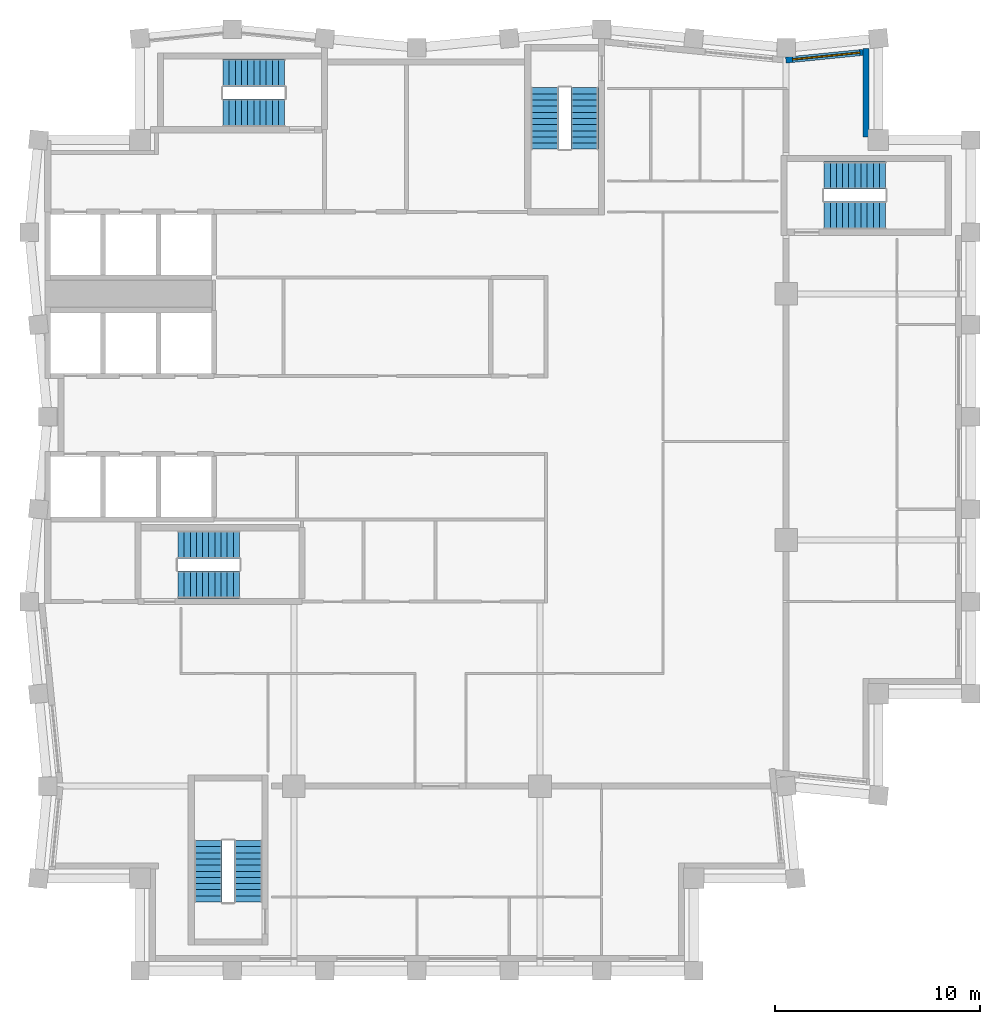
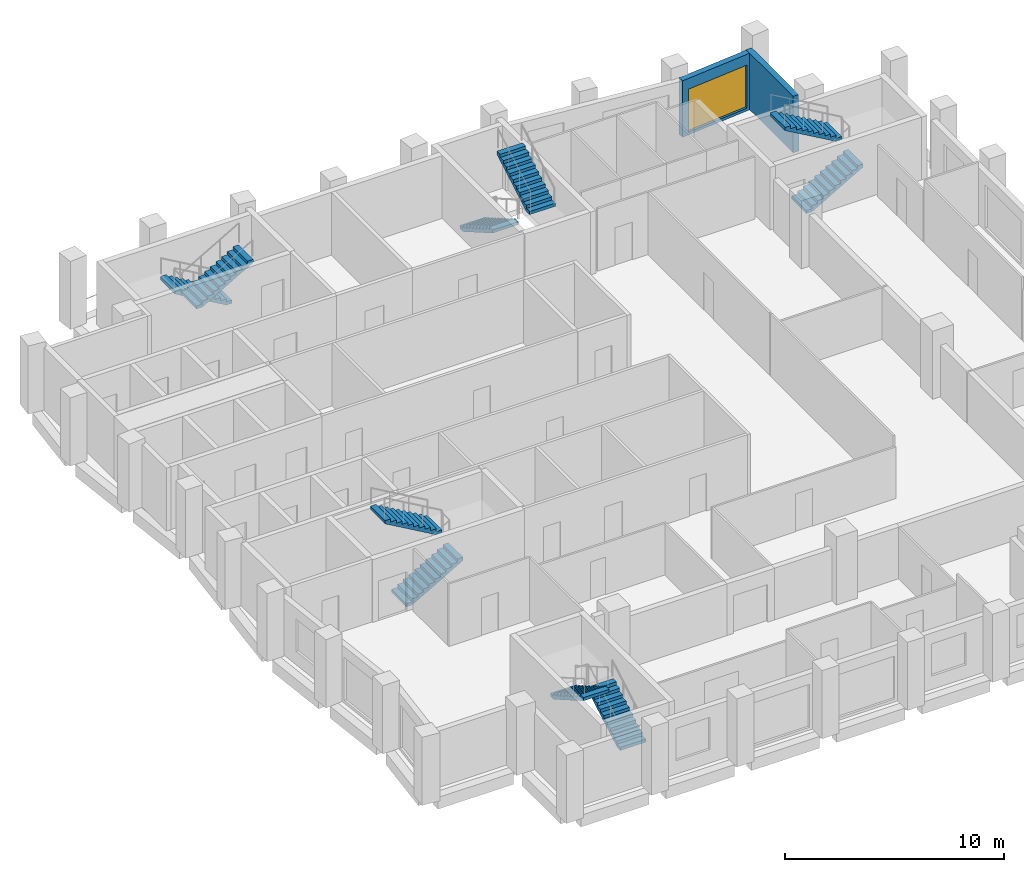
# One storey, part 6 of 7: 10 stair flights, 2 walls, 1 window, 1 opening, 5 elements without a shape of their own.
"""IFC4 building model written with IfcOpenShell, lengths in metres."""

from ifc_helpers import new_model, si_unit, direction, frame, frame_2d, origin, place, context, subcontext, project, spatial, polyline, rectangle, outline, extrude, material, layer, layer_set, type_object, element, fill, aggregate, save


model = new_model("IFC4")

# Units and contexts
model_context = context("Model", 3, precision=1e-05, world=origin(), true_north=direction((0.0, 1.0)))
body_context = subcontext(model_context, "Body", "Model", "MODEL_VIEW")
ifc_project = project(units=[si_unit("LENGTHUNIT", "METRE"), si_unit("AREAUNIT", "SQUARE_METRE"), si_unit("VOLUMEUNIT", "CUBIC_METRE"), si_unit("PLANEANGLEUNIT", "RADIAN"), si_unit("MASSUNIT", "GRAM", prefix="KILO")], contexts=[model_context])

# Site, building, storey
site_placement = place(None, origin())
site = spatial("IfcSite", under=ifc_project, at=site_placement, CompositionType="ELEMENT")
building_placement = place(site_placement, origin())
building = spatial("IfcBuilding", under=site, at=building_placement, Name="Brondeck Convention Tower", CompositionType="ELEMENT")
storey_placement = place(building_placement, frame((0.0, 0.0, 267.60009765625)))
storey = spatial("IfcBuildingStorey", under=building, at=storey_placement, Name="L66", CompositionType="ELEMENT", Elevation=267.60009765625)

# Wall
ifc_material_1 = material(Name="Precast concrete C50/60 bronze finish", Category="concrete")
ifc_layer_1 = layer(ifc_material_1, 0.070068359375, Name="Bronze precast facing")
ifc_material_2 = material(Name="Mineral wool")
ifc_layer_2 = layer(ifc_material_2, 0.159912109375, Name="Insulation")
ifc_material_3 = material(Name="Concrete C35/45", Category="concrete")
ifc_layer_3 = layer(ifc_material_3, 0.070068359375, Name="Backing")
ifc_layer_set = layer_set([ifc_layer_1, ifc_layer_2, ifc_layer_3], Name="External infill wall, precast concrete C50/60 bronze facing")
wall_type = type_object("IfcWallType", Name="External infill wall, precast concrete C50/60 bronze facing", PredefinedType="SOLIDWALL", material=ifc_layer_set)
wall_1_placement = place(storey_placement, frame((39.89990234375, 62.952880859375, 0.0), z_axis=(0.0, 0.0, 1.0), x_axis=(0.0, -1.0, 0.0)))
element("IfcWall", 1, at=wall_1_placement, inside=storey, type_object=wall_type, Name="ENV-EW-L66-P3-NC-NEA45-02", PredefinedType="SOLIDWALL", context=body_context, shape_type="SweptSolid", body=[
    extrude(rectangle(XDim=4.302978515625, YDim=0.300048828125, at=frame_2d((2.1513671875, 0.0))), origin(), (0.0, 0.0, 1.0), 3.14990234375),
])

# Wall, opening, window
wall_2_placement = place(storey_placement, frame((35.985107421875, 62.3955078125, 0.0), z_axis=(0.0, 0.0, 1.0), x_axis=(0.99503719021, 0.099503719021, 0.0)))
wall_2 = element("IfcWall", 2, at=wall_2_placement, inside=storey, type_object=wall_type, Name="ENV-EW-L66-P3-A-N-08", PredefinedType="SOLIDWALL", context=body_context, shape_type="SweptSolid", body=[
    extrude(rectangle(XDim=3.778564453125, YDim=0.300048828125, at=frame_2d((1.88916015625, 0.0))), origin(), (0.0, 0.0, 1.0), 3.14990234375),
])
opening_placement = place(wall_2_placement, frame((0.32861328125, 0.0, 0.14990234375)))
opening = element("IfcOpeningElement", 3, at=opening_placement, cuts=wall_2, Name="Opening W9", PredefinedType="OPENING", context=body_context, shape_type="SweptSolid", body=[
    extrude(rectangle(XDim=3.300048828125, YDim=2.39990234375, at=frame_2d((1.64990234375, 1.199951171875))), frame((0.0, 0.159912109375, 0.0), z_axis=(0.0, -1.0, 0.0), x_axis=(1.0, 0.0, 0.0)), (0.0, 0.0, 1.0), 0.320068359375),
])
ifc_material_4 = material(Name="Bronze tinted double glazing", Category="glass")
window_type = type_object("IfcWindowType", Name="Glazed flute window, bronze tinted", PartitioningType="SINGLE_PANEL", PredefinedType="WINDOW", material=ifc_material_4)
window_placement = place(opening_placement, origin())
window = element("IfcWindow", 4, at=window_placement, inside=storey, type_object=window_type, Name="ENV-WN-L66-P3-A-N-08", OverallHeight=2.39990234375, OverallWidth=3.300048828125, PartitioningType="SINGLE_PANEL", PredefinedType="WINDOW", context=body_context, shape_type="SweptSolid", body=[
    extrude(rectangle(XDim=3.300048828125, YDim=2.39990234375, at=frame_2d((1.64990234375, 1.199951171875))), frame((0.0, 0.030029296875, 0.0), z_axis=(0.0, -1.0, 0.0), x_axis=(1.0, 0.0, 0.0)), (0.0, 0.0, 1.0), 0.06005859375),
])
fill(opening, window)

# Stair, stair flights
ifc_material_5 = material(Name="Precast concrete C50/60", Category="concrete")
stair_type = type_object("IfcStairType", Name="Core stair 22 risers 172.73 mm riser 300 mm going 1350 wide", PredefinedType="HALF_TURN_STAIR", material=ifc_material_5)
stair_1_placement = place(storey_placement, origin())
stair_1 = element("IfcStair", 5, at=stair_1_placement, inside=storey, type_object=stair_type, Name="ST-1 L66 stair", PredefinedType="HALF_TURN_STAIR")
stair_flight_type = type_object("IfcStairFlightType", Name="Core stair flight 22 risers 172.73 mm riser 300 mm going 1350 wide", PredefinedType="STRAIGHT", material=ifc_material_5)
stair_flight_1_placement = place(storey_placement, frame((6.35009765625, 36.824951171875, 0.0), z_axis=(0.0, 0.0, 1.0), x_axis=(1.0, 0.0, 0.0)))
stair_flight_1 = element("IfcStairFlight", 6, at=stair_flight_1_placement, type_object=stair_flight_type, Name="ST-1 flight 1", NumberOfRisers=11, NumberOfTreads=10, PredefinedType="STRAIGHT", RiserHeight=0.172727273, TreadLength=0.3, context=body_context, shape_type="SweptSolid", body=[
    extrude(outline(polyline([(0.0, 0.0), (0.0, 0.172607421875), (0.300048828125, 0.172607421875), (0.300048828125, 0.345458984375), (0.60009765625, 0.345458984375), (0.60009765625, 0.51806640625), (0.89990234375, 0.51806640625), (0.89990234375, 0.69091796875), (1.199951171875, 0.69091796875), (1.199951171875, 0.863525390625), (1.5, 0.863525390625), (1.5, 1.036376953125), (1.800048828125, 1.036376953125), (1.800048828125, 1.208984375), (2.10009765625, 1.208984375), (2.10009765625, 1.3818359375), (2.39990234375, 1.3818359375), (2.39990234375, 1.554443359375), (2.699951171875, 1.554443359375), (2.699951171875, 1.727294921875), (3.0, 1.727294921875), (3.0, 1.89990234375), (3.0, 1.55419921875), (0.300537109375, 0.0), (0.0, 0.0)])), frame((0.0, 0.675048828125, 0.0), z_axis=(0.0, -1.0, 0.0), x_axis=(1.0, 0.0, 0.0)), (0.0, 0.0, 1.0), 1.35009765625),
])
stair_flight_2_placement = place(storey_placement, frame((9.35009765625, 38.77490234375, 1.89990234375), z_axis=(0.0, 0.0, 1.0), x_axis=(-1.0, 0.0, 0.0)))
stair_flight_2 = element("IfcStairFlight", 7, at=stair_flight_2_placement, type_object=stair_flight_type, Name="ST-1 flight 2", NumberOfRisers=11, NumberOfTreads=10, PredefinedType="STRAIGHT", RiserHeight=0.172727273, TreadLength=0.3, context=body_context, shape_type="SweptSolid", body=[
    extrude(outline(polyline([(0.0, 0.0), (0.0, 0.172607421875), (0.300048828125, 0.172607421875), (0.300048828125, 0.345458984375), (0.60009765625, 0.345458984375), (0.60009765625, 0.51806640625), (0.89990234375, 0.51806640625), (0.89990234375, 0.69091796875), (1.199951171875, 0.69091796875), (1.199951171875, 0.863525390625), (1.5, 0.863525390625), (1.5, 1.036376953125), (1.800048828125, 1.036376953125), (1.800048828125, 1.208984375), (2.10009765625, 1.208984375), (2.10009765625, 1.3818359375), (2.39990234375, 1.3818359375), (2.39990234375, 1.554443359375), (2.699951171875, 1.554443359375), (2.699951171875, 1.727294921875), (3.0, 1.727294921875), (3.0, 1.89990234375), (3.0, 1.55419921875), (0.300537109375, 0.0), (0.0, 0.0)])), frame((0.0, 0.675048828125, 0.0), z_axis=(0.0, -1.0, 0.0), x_axis=(1.0, 0.0, 0.0)), (0.0, 0.0, 1.0), 1.35009765625),
])
aggregate(stair_1, [stair_flight_1, stair_flight_2])

stair_2_placement = place(storey_placement, origin())
stair_2 = element("IfcStair", 8, at=stair_2_placement, inside=storey, type_object=stair_type, Name="ST-2 L66 stair", PredefinedType="HALF_TURN_STAIR")
stair_flight_3_placement = place(storey_placement, frame((24.22509765625, 61.050048828125, 0.0), z_axis=(0.0, 0.0, 1.0), x_axis=(0.0, -1.0, 0.0)))
stair_flight_3 = element("IfcStairFlight", 9, at=stair_flight_3_placement, type_object=stair_flight_type, Name="ST-2 flight 1", NumberOfRisers=11, NumberOfTreads=10, PredefinedType="STRAIGHT", RiserHeight=0.172727273, TreadLength=0.3, context=body_context, shape_type="SweptSolid", body=[
    extrude(outline(polyline([(0.0, 0.0), (0.0, 0.172607421875), (0.300048828125, 0.172607421875), (0.300048828125, 0.345458984375), (0.60009765625, 0.345458984375), (0.60009765625, 0.51806640625), (0.89990234375, 0.51806640625), (0.89990234375, 0.69091796875), (1.199951171875, 0.69091796875), (1.199951171875, 0.863525390625), (1.5, 0.863525390625), (1.5, 1.036376953125), (1.800048828125, 1.036376953125), (1.800048828125, 1.208984375), (2.10009765625, 1.208984375), (2.10009765625, 1.3818359375), (2.39990234375, 1.3818359375), (2.39990234375, 1.554443359375), (2.699951171875, 1.554443359375), (2.699951171875, 1.727294921875), (3.0, 1.727294921875), (3.0, 1.89990234375), (3.0, 1.55419921875), (0.300537109375, 0.0), (0.0, 0.0)])), frame((0.0, 0.675048828125, 0.0), z_axis=(0.0, -1.0, 0.0), x_axis=(1.0, 0.0, 0.0)), (0.0, 0.0, 1.0), 1.35009765625),
])
stair_flight_4_placement = place(storey_placement, frame((26.175048828125, 58.050048828125, 1.89990234375), z_axis=(0.0, 0.0, 1.0), x_axis=(0.0, 1.0, 0.0)))
stair_flight_4 = element("IfcStairFlight", 10, at=stair_flight_4_placement, type_object=stair_flight_type, Name="ST-2 flight 2", NumberOfRisers=11, NumberOfTreads=10, PredefinedType="STRAIGHT", RiserHeight=0.172727273, TreadLength=0.3, context=body_context, shape_type="SweptSolid", body=[
    extrude(outline(polyline([(0.0, 0.0), (0.0, 0.172607421875), (0.300048828125, 0.172607421875), (0.300048828125, 0.345458984375), (0.60009765625, 0.345458984375), (0.60009765625, 0.51806640625), (0.89990234375, 0.51806640625), (0.89990234375, 0.69091796875), (1.199951171875, 0.69091796875), (1.199951171875, 0.863525390625), (1.5, 0.863525390625), (1.5, 1.036376953125), (1.800048828125, 1.036376953125), (1.800048828125, 1.208984375), (2.10009765625, 1.208984375), (2.10009765625, 1.3818359375), (2.39990234375, 1.3818359375), (2.39990234375, 1.554443359375), (2.699951171875, 1.554443359375), (2.699951171875, 1.727294921875), (3.0, 1.727294921875), (3.0, 1.89990234375), (3.0, 1.55419921875), (0.300537109375, 0.0), (0.0, 0.0)])), frame((0.0, 0.675048828125, 0.0), z_axis=(0.0, -1.0, 0.0), x_axis=(1.0, 0.0, 0.0)), (0.0, 0.0, 1.0), 1.35009765625),
])
aggregate(stair_2, [stair_flight_3, stair_flight_4])

stair_3_placement = place(storey_placement, origin())
stair_3 = element("IfcStair", 11, at=stair_3_placement, inside=storey, type_object=stair_type, Name="ST-3 L66 stair", PredefinedType="HALF_TURN_STAIR")
stair_flight_5_placement = place(storey_placement, frame((11.550048828125, 61.77490234375, 0.0), z_axis=(0.0, 0.0, 1.0), x_axis=(-1.0, 0.0, 0.0)))
stair_flight_5 = element("IfcStairFlight", 12, at=stair_flight_5_placement, type_object=stair_flight_type, Name="ST-3 flight 1", NumberOfRisers=11, NumberOfTreads=10, PredefinedType="STRAIGHT", RiserHeight=0.172727273, TreadLength=0.3, context=body_context, shape_type="SweptSolid", body=[
    extrude(outline(polyline([(0.0, 0.0), (0.0, 0.172607421875), (0.300048828125, 0.172607421875), (0.300048828125, 0.345458984375), (0.60009765625, 0.345458984375), (0.60009765625, 0.51806640625), (0.89990234375, 0.51806640625), (0.89990234375, 0.69091796875), (1.199951171875, 0.69091796875), (1.199951171875, 0.863525390625), (1.5, 0.863525390625), (1.5, 1.036376953125), (1.800048828125, 1.036376953125), (1.800048828125, 1.208984375), (2.10009765625, 1.208984375), (2.10009765625, 1.3818359375), (2.39990234375, 1.3818359375), (2.39990234375, 1.554443359375), (2.699951171875, 1.554443359375), (2.699951171875, 1.727294921875), (3.0, 1.727294921875), (3.0, 1.89990234375), (3.0, 1.55419921875), (0.300537109375, 0.0), (0.0, 0.0)])), frame((0.0, 0.675048828125, 0.0), z_axis=(0.0, -1.0, 0.0), x_axis=(1.0, 0.0, 0.0)), (0.0, 0.0, 1.0), 1.35009765625),
])
stair_flight_6_placement = place(storey_placement, frame((8.550048828125, 59.824951171875, 1.89990234375), z_axis=(0.0, 0.0, 1.0), x_axis=(1.0, 0.0, 0.0)))
stair_flight_6 = element("IfcStairFlight", 13, at=stair_flight_6_placement, type_object=stair_flight_type, Name="ST-3 flight 2", NumberOfRisers=11, NumberOfTreads=10, PredefinedType="STRAIGHT", RiserHeight=0.172727273, TreadLength=0.3, context=body_context, shape_type="SweptSolid", body=[
    extrude(outline(polyline([(0.0, 0.0), (0.0, 0.172607421875), (0.300048828125, 0.172607421875), (0.300048828125, 0.345458984375), (0.60009765625, 0.345458984375), (0.60009765625, 0.51806640625), (0.89990234375, 0.51806640625), (0.89990234375, 0.69091796875), (1.199951171875, 0.69091796875), (1.199951171875, 0.863525390625), (1.5, 0.863525390625), (1.5, 1.036376953125), (1.800048828125, 1.036376953125), (1.800048828125, 1.208984375), (2.10009765625, 1.208984375), (2.10009765625, 1.3818359375), (2.39990234375, 1.3818359375), (2.39990234375, 1.554443359375), (2.699951171875, 1.554443359375), (2.699951171875, 1.727294921875), (3.0, 1.727294921875), (3.0, 1.89990234375), (3.0, 1.55419921875), (0.300537109375, 0.0), (0.0, 0.0)])), frame((0.0, 0.675048828125, 0.0), z_axis=(0.0, -1.0, 0.0), x_axis=(1.0, 0.0, 0.0)), (0.0, 0.0, 1.0), 1.35009765625),
])
aggregate(stair_3, [stair_flight_5, stair_flight_6])

stair_4_placement = place(storey_placement, origin())
stair_4 = element("IfcStair", 14, at=stair_4_placement, inside=storey, type_object=stair_type, Name="ST-AE L66 stair", PredefinedType="HALF_TURN_STAIR")
stair_flight_7_placement = place(storey_placement, frame((37.85009765625, 54.824951171875, 0.0), z_axis=(0.0, 0.0, 1.0), x_axis=(1.0, 0.0, 0.0)))
stair_flight_7 = element("IfcStairFlight", 15, at=stair_flight_7_placement, type_object=stair_flight_type, Name="ST-AE flight 1", NumberOfRisers=11, NumberOfTreads=10, PredefinedType="STRAIGHT", RiserHeight=0.172727273, TreadLength=0.3, context=body_context, shape_type="SweptSolid", body=[
    extrude(outline(polyline([(0.0, 0.0), (0.0, 0.172607421875), (0.300048828125, 0.172607421875), (0.300048828125, 0.345458984375), (0.60009765625, 0.345458984375), (0.60009765625, 0.51806640625), (0.89990234375, 0.51806640625), (0.89990234375, 0.69091796875), (1.199951171875, 0.69091796875), (1.199951171875, 0.863525390625), (1.5, 0.863525390625), (1.5, 1.036376953125), (1.800048828125, 1.036376953125), (1.800048828125, 1.208984375), (2.10009765625, 1.208984375), (2.10009765625, 1.3818359375), (2.39990234375, 1.3818359375), (2.39990234375, 1.554443359375), (2.699951171875, 1.554443359375), (2.699951171875, 1.727294921875), (3.0, 1.727294921875), (3.0, 1.89990234375), (3.0, 1.55419921875), (0.300537109375, 0.0), (0.0, 0.0)])), frame((0.0, 0.675048828125, 0.0), z_axis=(0.0, -1.0, 0.0), x_axis=(1.0, 0.0, 0.0)), (0.0, 0.0, 1.0), 1.35009765625),
])
stair_flight_8_placement = place(storey_placement, frame((40.85009765625, 56.77490234375, 1.89990234375), z_axis=(0.0, 0.0, 1.0), x_axis=(-1.0, 0.0, 0.0)))
stair_flight_8 = element("IfcStairFlight", 16, at=stair_flight_8_placement, type_object=stair_flight_type, Name="ST-AE flight 2", NumberOfRisers=11, NumberOfTreads=10, PredefinedType="STRAIGHT", RiserHeight=0.172727273, TreadLength=0.3, context=body_context, shape_type="SweptSolid", body=[
    extrude(outline(polyline([(0.0, 0.0), (0.0, 0.172607421875), (0.300048828125, 0.172607421875), (0.300048828125, 0.345458984375), (0.60009765625, 0.345458984375), (0.60009765625, 0.51806640625), (0.89990234375, 0.51806640625), (0.89990234375, 0.69091796875), (1.199951171875, 0.69091796875), (1.199951171875, 0.863525390625), (1.5, 0.863525390625), (1.5, 1.036376953125), (1.800048828125, 1.036376953125), (1.800048828125, 1.208984375), (2.10009765625, 1.208984375), (2.10009765625, 1.3818359375), (2.39990234375, 1.3818359375), (2.39990234375, 1.554443359375), (2.699951171875, 1.554443359375), (2.699951171875, 1.727294921875), (3.0, 1.727294921875), (3.0, 1.89990234375), (3.0, 1.55419921875), (0.300537109375, 0.0), (0.0, 0.0)])), frame((0.0, 0.675048828125, 0.0), z_axis=(0.0, -1.0, 0.0), x_axis=(1.0, 0.0, 0.0)), (0.0, 0.0, 1.0), 1.35009765625),
])
aggregate(stair_4, [stair_flight_7, stair_flight_8])

stair_5_placement = place(storey_placement, origin())
stair_5 = element("IfcStair", 17, at=stair_5_placement, inside=storey, type_object=stair_type, Name="ST-BE L66 stair", PredefinedType="HALF_TURN_STAIR")
stair_flight_9_placement = place(storey_placement, frame((9.77490234375, 21.35009765625, 0.0), z_axis=(0.0, 0.0, 1.0), x_axis=(0.0, 1.0, 0.0)))
stair_flight_9 = element("IfcStairFlight", 18, at=stair_flight_9_placement, type_object=stair_flight_type, Name="ST-BE flight 1", NumberOfRisers=11, NumberOfTreads=10, PredefinedType="STRAIGHT", RiserHeight=0.172727273, TreadLength=0.3, context=body_context, shape_type="SweptSolid", body=[
    extrude(outline(polyline([(0.0, 0.0), (0.0, 0.172607421875), (0.300048828125, 0.172607421875), (0.300048828125, 0.345458984375), (0.60009765625, 0.345458984375), (0.60009765625, 0.51806640625), (0.89990234375, 0.51806640625), (0.89990234375, 0.69091796875), (1.199951171875, 0.69091796875), (1.199951171875, 0.863525390625), (1.5, 0.863525390625), (1.5, 1.036376953125), (1.800048828125, 1.036376953125), (1.800048828125, 1.208984375), (2.10009765625, 1.208984375), (2.10009765625, 1.3818359375), (2.39990234375, 1.3818359375), (2.39990234375, 1.554443359375), (2.699951171875, 1.554443359375), (2.699951171875, 1.727294921875), (3.0, 1.727294921875), (3.0, 1.89990234375), (3.0, 1.55419921875), (0.300537109375, 0.0), (0.0, 0.0)])), frame((0.0, 0.675048828125, 0.0), z_axis=(0.0, -1.0, 0.0), x_axis=(1.0, 0.0, 0.0)), (0.0, 0.0, 1.0), 1.35009765625),
])
stair_flight_10_placement = place(storey_placement, frame((7.824951171875, 24.35009765625, 1.89990234375), z_axis=(0.0, 0.0, 1.0), x_axis=(0.0, -1.0, 0.0)))
stair_flight_10 = element("IfcStairFlight", 19, at=stair_flight_10_placement, type_object=stair_flight_type, Name="ST-BE flight 2", NumberOfRisers=11, NumberOfTreads=10, PredefinedType="STRAIGHT", RiserHeight=0.172727273, TreadLength=0.3, context=body_context, shape_type="SweptSolid", body=[
    extrude(outline(polyline([(0.0, 0.0), (0.0, 0.172607421875), (0.300048828125, 0.172607421875), (0.300048828125, 0.345458984375), (0.60009765625, 0.345458984375), (0.60009765625, 0.51806640625), (0.89990234375, 0.51806640625), (0.89990234375, 0.69091796875), (1.199951171875, 0.69091796875), (1.199951171875, 0.863525390625), (1.5, 0.863525390625), (1.5, 1.036376953125), (1.800048828125, 1.036376953125), (1.800048828125, 1.208984375), (2.10009765625, 1.208984375), (2.10009765625, 1.3818359375), (2.39990234375, 1.3818359375), (2.39990234375, 1.554443359375), (2.699951171875, 1.554443359375), (2.699951171875, 1.727294921875), (3.0, 1.727294921875), (3.0, 1.89990234375), (3.0, 1.55419921875), (0.300537109375, 0.0), (0.0, 0.0)])), frame((0.0, 0.675048828125, 0.0), z_axis=(0.0, -1.0, 0.0), x_axis=(1.0, 0.0, 0.0)), (0.0, 0.0, 1.0), 1.35009765625),
])
aggregate(stair_5, [stair_flight_9, stair_flight_10])

save(model, "model.ifc")
